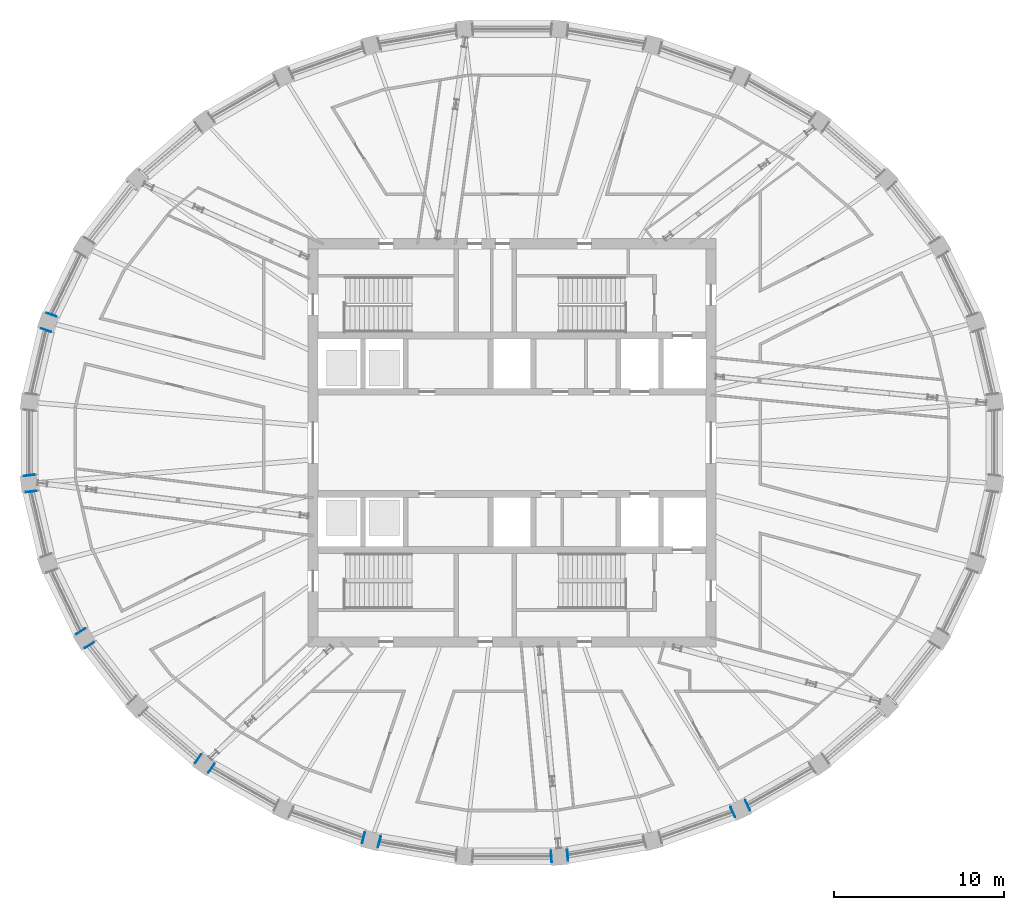
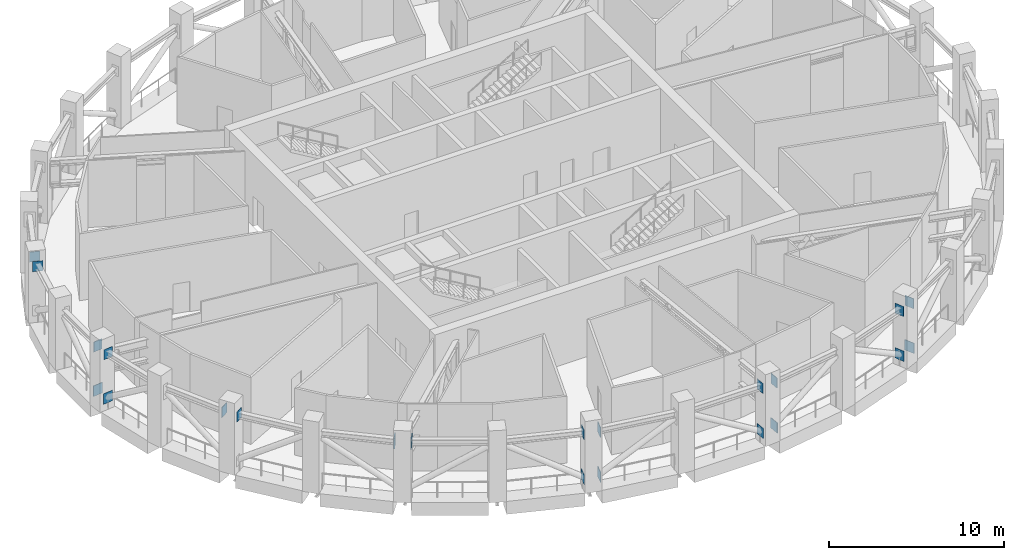
# One storey, part 15 of 20: 22 discrete accessories.
"""IFC4 building model written with IfcOpenShell, lengths in metres."""

from ifc_helpers import new_model, si_unit, direction, frame, origin, origin_2d, place, context, subcontext, project, spatial, rectangle, extrude, material, layer, layer_set, type_object, element, save


model = new_model("IFC4")

# Units and contexts
model_context = context("Model", 3, precision=1e-05, world=origin(), true_north=direction((0.0, 1.0)))
body_context = subcontext(model_context, "Body", "Model", "MODEL_VIEW")
ifc_project = project(units=[si_unit("LENGTHUNIT", "METRE"), si_unit("AREAUNIT", "SQUARE_METRE"), si_unit("VOLUMEUNIT", "CUBIC_METRE"), si_unit("PLANEANGLEUNIT", "RADIAN"), si_unit("MASSUNIT", "GRAM", prefix="KILO")], contexts=[model_context])

# Site, building, storey
site_placement = place(None, origin())
site = spatial("IfcSite", under=ifc_project, at=site_placement, CompositionType="ELEMENT")
building_placement = place(site_placement, origin())
building = spatial("IfcBuilding", under=site, at=building_placement, Name="Halqa Exchange Tower", CompositionType="ELEMENT")
storey_placement = place(building_placement, frame((0.0, 0.0, 328.300048828125)))
storey = spatial("IfcBuildingStorey", under=building, at=storey_placement, Name="L77", CompositionType="ELEMENT", Elevation=328.300048828125)

# Discrete accessories
ifc_material = material(Name="Steel S355", Category="steel")
ifc_layer = layer(ifc_material, 0.0400390625)
ifc_layer_set = layer_set([ifc_layer], Name="Steel S355")
discrete_accessory_type = type_object("IfcDiscreteAccessoryType", Name="Belt truss anchor plate 40", PredefinedType="ANCHORPLATE", material=ifc_layer_set)
for number, where, z_axis, x_axis, name in (
    (1, (-27.376220703125, 6.639892578125, 3.89990234375), (-0.328993186606, -0.944332294887, 0.0), (0.944332294887, -0.328993186606, 0.0), "Belt truss anchor plate"),
    (2, (-27.0703125, 7.50732421875, 3.89990234375), (0.334409845171, 0.942427745481, 0.0), (-0.942427745481, 0.334409845171, 0.0), "Belt truss anchor plate"),
    (3, (-28.256591796875, -2.84521484375, 3.89990234375), (0.109762219212, -0.993957873973, 0.0), (0.993957873973, 0.109762219212, 0.0), "Belt truss anchor plate"),
):
    element("IfcDiscreteAccessory", number, at=place(storey_placement, frame(where, z_axis=z_axis, x_axis=x_axis)), inside=storey, type_object=discrete_accessory_type, Name=name, PredefinedType="ANCHORPLATE", context=body_context, shape_type="SweptSolid", body=[
        extrude(rectangle(XDim=0.60009765625, YDim=0.699951171875, at=origin_2d()), origin(), (0.0, 0.0, 1.0), 0.0400390625),
    ])
discrete_accessory_1_placement = place(storey_placement, frame((-28.361328125, -1.93115234375, 3.89990234375), z_axis=(-0.116485527129, 0.993192389202, 0.0), x_axis=(-0.993192389202, -0.116485527129, 0.0)))
element("IfcDiscreteAccessory", 4, at=discrete_accessory_1_placement, inside=storey, type_object=discrete_accessory_type, Name="Belt truss anchor plate", PredefinedType="ANCHORPLATE", context=body_context, shape_type="SweptSolid", body=[
    extrude(rectangle(XDim=0.60009765625, YDim=0.699951171875, at=origin_2d()), origin(), (0.0, 0.0, 1.0), 0.039794921875),
])
discrete_accessory_2_placement = place(storey_placement, frame((-28.2568359375, -2.84521484375, 0.8349609375), z_axis=(0.115780500934, -0.993274823804, 0.0), x_axis=(0.993274823804, 0.115780500934, 0.0)))
element("IfcDiscreteAccessory", 5, at=discrete_accessory_2_placement, inside=storey, type_object=discrete_accessory_type, Name="Belt truss anchor plate", PredefinedType="ANCHORPLATE", context=body_context, shape_type="SweptSolid", body=[
    extrude(rectangle(XDim=0.656005859375, YDim=0.735107421875, at=origin_2d()), origin(), (0.0, 0.0, 1.0), 0.0400390625),
])
discrete_accessory_3_placement = place(storey_placement, frame((-28.361328125, -1.93115234375, 0.83740234375), z_axis=(-0.116485527129, 0.993192389202, 0.0), x_axis=(-0.993192389202, -0.116485527129, 0.0)))
element("IfcDiscreteAccessory", 6, at=discrete_accessory_3_placement, inside=storey, type_object=discrete_accessory_type, Name="Belt truss anchor plate", PredefinedType="ANCHORPLATE", context=body_context, shape_type="SweptSolid", body=[
    extrude(rectangle(XDim=0.656005859375, YDim=0.736083984375, at=origin_2d()), origin(), (0.0, 0.0, 1.0), 0.039794921875),
])
discrete_accessory_4_placement = place(storey_placement, frame((-24.849365234375, -11.879638671875, 3.89990234375), z_axis=(0.527815847616, -0.849358835243, 0.0), x_axis=(0.849358835243, 0.527815847616, 0.0)))
element("IfcDiscreteAccessory", 7, at=discrete_accessory_4_placement, inside=storey, type_object=discrete_accessory_type, Name="Belt truss anchor plate", PredefinedType="ANCHORPLATE", context=body_context, shape_type="SweptSolid", body=[
    extrude(rectangle(XDim=0.60009765625, YDim=0.699951171875, at=origin_2d()), origin(), (0.0, 0.0, 1.0), 0.040283203125),
])
for number, where, z_axis, x_axis, name in (
    (8, (-25.3349609375, -11.098388671875, 3.89990234375), (-0.530546985787, 0.847655529016, 0.0), (-0.847655529016, -0.530546985787, 0.0), "Belt truss anchor plate"),
    (9, (-17.6787109375, -19.1123046875, 3.89990234375), (0.81865747399, -0.57428210862, 0.0), (0.57428210862, 0.81865747399, 0.0), "Belt truss anchor plate"),
    (10, (-18.430419921875, -18.581787109375, 3.89990234375), (-0.81865747399, 0.57428210862, 0.0), (-0.57428210862, -0.81865747399, 0.0), "Belt truss anchor plate"),
):
    element("IfcDiscreteAccessory", number, at=place(storey_placement, frame(where, z_axis=z_axis, x_axis=x_axis)), inside=storey, type_object=discrete_accessory_type, Name=name, PredefinedType="ANCHORPLATE", context=body_context, shape_type="SweptSolid", body=[
        extrude(rectangle(XDim=0.60009765625, YDim=0.699951171875, at=origin_2d()), origin(), (0.0, 0.0, 1.0), 0.0400390625),
    ])
for number, where, z_axis, x_axis, name in (
    (11, (-7.817626953125, -23.453369140625, 3.89990234375), (0.967941754644, -0.251174759116, 0.0), (0.251174759116, 0.967941754644, 0.0), "Belt truss anchor plate"),
    (12, (-8.7080078125, -23.22119140625, 3.89990234375), (-0.967941754644, 0.251174759116, 0.0), (-0.251174759116, -0.967941754644, 0.0), "Belt truss anchor plate"),
):
    element("IfcDiscreteAccessory", number, at=place(storey_placement, frame(where, z_axis=z_axis, x_axis=x_axis)), inside=storey, type_object=discrete_accessory_type, Name=name, PredefinedType="ANCHORPLATE", context=body_context, shape_type="SweptSolid", body=[
        extrude(rectangle(XDim=0.60009765625, YDim=0.699951171875, at=origin_2d()), origin(), (0.0, 0.0, 1.0), 0.039794921875),
    ])
discrete_accessory_5_placement = place(storey_placement, frame((-7.817626953125, -23.453125, 0.790283203125), z_axis=(0.966437683387, -0.256901156343, 0.0), x_axis=(0.256901156343, 0.966437683387, 0.0)))
element("IfcDiscreteAccessory", 13, at=discrete_accessory_5_placement, inside=storey, type_object=discrete_accessory_type, Name="Belt truss anchor plate", PredefinedType="ANCHORPLATE", context=body_context, shape_type="SweptSolid", body=[
    extrude(rectangle(XDim=0.656005859375, YDim=0.717041015625, at=origin_2d()), origin(), (0.0, 0.0, 1.0), 0.039794921875),
])
discrete_accessory_6_placement = place(storey_placement, frame((-8.7080078125, -23.22119140625, 0.79345703125), z_axis=(-0.967941754644, 0.251174759116, 0.0), x_axis=(-0.251174759116, -0.967941754644, 0.0)))
element("IfcDiscreteAccessory", 14, at=discrete_accessory_6_placement, inside=storey, type_object=discrete_accessory_type, Name="Belt truss anchor plate", PredefinedType="ANCHORPLATE", context=body_context, shape_type="SweptSolid", body=[
    extrude(rectangle(XDim=0.656005859375, YDim=0.718994140625, at=origin_2d()), origin(), (0.0, 0.0, 1.0), 0.039794921875),
])
for number, where, z_axis, x_axis, name in (
    (15, (3.24853515625, -24.232421875, 3.89990234375), (0.996331773833, 0.085574508182, 0.0), (-0.085574508182, 0.996331773833, 0.0), "Belt truss anchor plate"),
    (16, (2.331787109375, -24.31005859375, 3.89990234375), (-0.996834694212, -0.079502153526, 0.0), (0.079502153526, -0.996834694212, 0.0), "Belt truss anchor plate"),
):
    element("IfcDiscreteAccessory", number, at=place(storey_placement, frame(where, z_axis=z_axis, x_axis=x_axis)), inside=storey, type_object=discrete_accessory_type, Name=name, PredefinedType="ANCHORPLATE", context=body_context, shape_type="SweptSolid", body=[
        extrude(rectangle(XDim=0.60009765625, YDim=0.699951171875, at=origin_2d()), origin(), (0.0, 0.0, 1.0), 0.0400390625),
    ])
discrete_accessory_7_placement = place(storey_placement, frame((3.24853515625, -24.232421875, 0.7900390625), z_axis=(0.996331773833, 0.085574508182, 0.0), x_axis=(-0.085574508182, 0.996331773833, 0.0)))
element("IfcDiscreteAccessory", 17, at=discrete_accessory_7_placement, inside=storey, type_object=discrete_accessory_type, Name="Belt truss anchor plate", PredefinedType="ANCHORPLATE", context=body_context, shape_type="SweptSolid", body=[
    extrude(rectangle(XDim=0.656005859375, YDim=0.717041015625, at=origin_2d()), origin(), (0.0, 0.0, 1.0), 0.0400390625),
])
discrete_accessory_8_placement = place(storey_placement, frame((2.331787109375, -24.309814453125, 0.78857421875), z_axis=(-0.996331773833, -0.085574508182, 0.0), x_axis=(0.085574508182, -0.996331773833, 0.0)))
element("IfcDiscreteAccessory", 18, at=discrete_accessory_8_placement, inside=storey, type_object=discrete_accessory_type, Name="Belt truss anchor plate", PredefinedType="ANCHORPLATE", context=body_context, shape_type="SweptSolid", body=[
    extrude(rectangle(XDim=0.656005859375, YDim=0.716064453125, at=origin_2d()), origin(), (0.0, 0.0, 1.0), 0.0400390625),
])
discrete_accessory_9_placement = place(storey_placement, frame((13.835205078125, -21.313720703125, 3.89990234375), z_axis=(0.9097381412, 0.415182507393, 0.0), x_axis=(-0.415182507393, 0.9097381412, 0.0)))
element("IfcDiscreteAccessory", 19, at=discrete_accessory_9_placement, inside=storey, type_object=discrete_accessory_type, Name="Belt truss anchor plate", PredefinedType="ANCHORPLATE", context=body_context, shape_type="SweptSolid", body=[
    extrude(rectangle(XDim=0.60009765625, YDim=0.699951171875, at=origin_2d()), origin(), (0.0, 0.0, 1.0), 0.0400390625),
])
discrete_accessory_10_placement = place(storey_placement, frame((12.9990234375, -21.697509765625, 3.89990234375), z_axis=(-0.908676843963, -0.417500171551, 0.0), x_axis=(0.417500171551, -0.908676843963, 0.0)))
element("IfcDiscreteAccessory", 20, at=discrete_accessory_10_placement, inside=storey, type_object=discrete_accessory_type, Name="Belt truss anchor plate", PredefinedType="ANCHORPLATE", context=body_context, shape_type="SweptSolid", body=[
    extrude(rectangle(XDim=0.60009765625, YDim=0.699951171875, at=origin_2d()), origin(), (0.0, 0.0, 1.0), 0.039794921875),
])
discrete_accessory_11_placement = place(storey_placement, frame((13.835205078125, -21.313720703125, 0.80078125), z_axis=(0.90742390538, 0.420216439404, 0.0), x_axis=(-0.420216439404, 0.90742390538, 0.0)))
element("IfcDiscreteAccessory", 21, at=discrete_accessory_11_placement, inside=storey, type_object=discrete_accessory_type, Name="Belt truss anchor plate", PredefinedType="ANCHORPLATE", context=body_context, shape_type="SweptSolid", body=[
    extrude(rectangle(XDim=0.656005859375, YDim=0.720947265625, at=origin_2d()), origin(), (0.0, 0.0, 1.0), 0.0400390625),
])
discrete_accessory_12_placement = place(storey_placement, frame((12.999267578125, -21.69775390625, 0.793701171875), z_axis=(-0.9097381412, -0.415182507393, 0.0), x_axis=(0.415182507393, -0.9097381412, 0.0)))
element("IfcDiscreteAccessory", 22, at=discrete_accessory_12_placement, inside=storey, type_object=discrete_accessory_type, Name="Belt truss anchor plate", PredefinedType="ANCHORPLATE", context=body_context, shape_type="SweptSolid", body=[
    extrude(rectangle(XDim=0.656005859375, YDim=0.718994140625, at=origin_2d()), origin(), (0.0, 0.0, 1.0), 0.0400390625),
])

save(model, "model.ifc")
